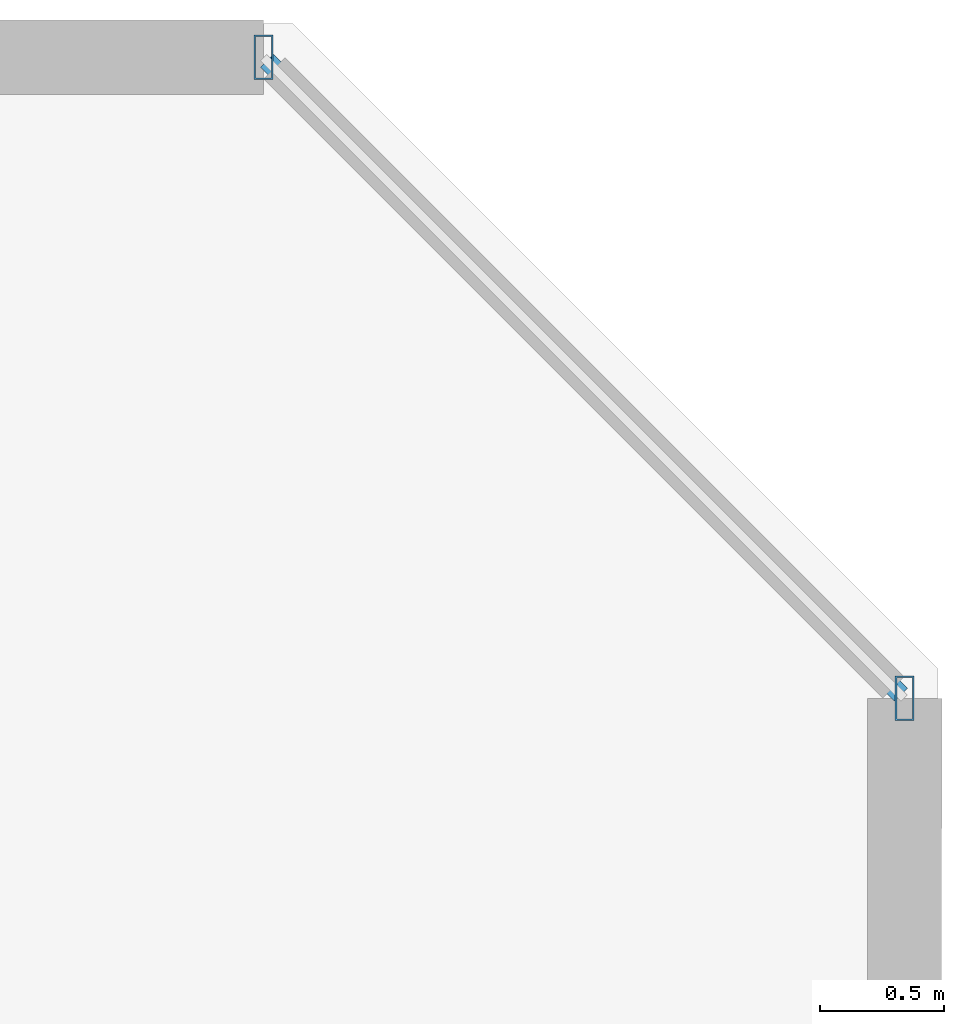
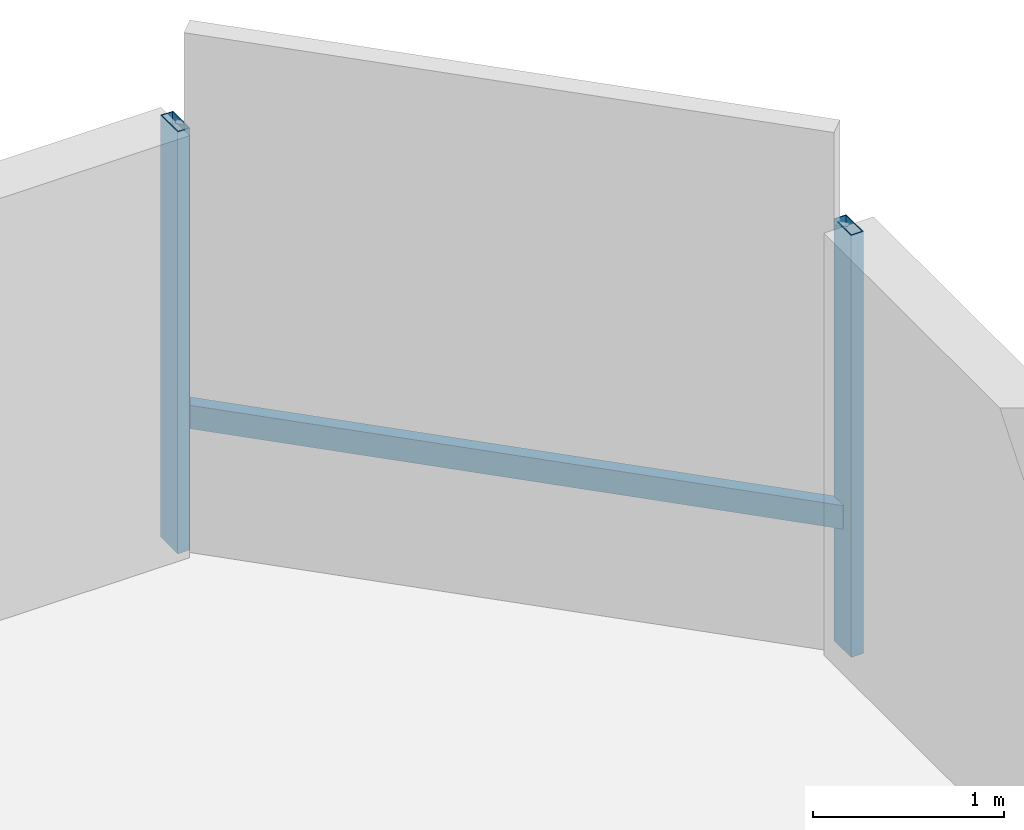
# One storey, part 16 of 31: 3 members, 1 element without a shape of its own.
"""IFC4 building model written with IfcOpenShell, lengths in metres."""

from ifc_helpers import new_model, si_unit, direction, frame, origin, origin_2d, place, context, subcontext, project, spatial, hollow_rectangle, extrude, material, material_profile, profile_set, type_object, element, aggregate, save


model = new_model("IFC4")

# Units and contexts
model_context = context("Model", 3, precision=1e-05, world=origin(), true_north=direction((0.0, 1.0)))
body_context = subcontext(model_context, "Body", "Model", "MODEL_VIEW")
ifc_project = project(units=[si_unit("LENGTHUNIT", "METRE"), si_unit("AREAUNIT", "SQUARE_METRE"), si_unit("VOLUMEUNIT", "CUBIC_METRE"), si_unit("PLANEANGLEUNIT", "RADIAN"), si_unit("MASSUNIT", "GRAM", prefix="KILO")], contexts=[model_context])

# Site, building, storey
site_placement = place(None, origin())
site = spatial("IfcSite", under=ifc_project, at=site_placement, CompositionType="ELEMENT")
building_placement = place(site_placement, origin())
building = spatial("IfcBuilding", under=site, at=building_placement, Name="Thornwick Lancets Civic Towers", CompositionType="ELEMENT")
storey_placement = place(building_placement, frame((0.0, 0.0, 254.699951171875)))
storey = spatial("IfcBuildingStorey", under=building, at=storey_placement, Name="L68", CompositionType="ELEMENT", Elevation=254.699951171875)

# Curtain wall, members
ifc_material_1 = material(Name="High-zone chamfered-corner unitised glass curtain wall", Category="glass")
curtain_wall_type = type_object("IfcCurtainWallType", Name="CW_SYS_05", PredefinedType="NOTDEFINED", material=ifc_material_1)
curtain_wall_placement = place(storey_placement, origin())
curtain_wall = element("IfcCurtainWall", 1, at=curtain_wall_placement, inside=storey, type_object=curtain_wall_type, Name="L68 Curtain Wall CW-L68-B-E3", PredefinedType="NOTDEFINED")
ifc_material_2 = material(Name="Thermally broken bronze aluminium S355", Category="steel")
ifc_material_profile_1 = material_profile(ifc_material_2, hollow_rectangle(XDim=0.074951171875, YDim=0.179931640625, WallThickness=0.006103515625, at=origin_2d()), Name="RHS 180x75x6")
ifc_profile_set_1 = profile_set([ifc_material_profile_1], Name="Thermally broken bronze aluminium S355")
member_type_1 = type_object("IfcMemberType", Name="CW_MUL_180", PredefinedType="MULLION", material=ifc_profile_set_1)
member_1_placement = place(storey_placement, frame((112.2646484375, 48.181396484375, 0.0), z_axis=(0.0, 0.0, 1.0), x_axis=(1.0, 0.0, 0.0)))
member_1 = element("IfcMember", 2, at=member_1_placement, type_object=member_type_1, Name="CW-L68-B-E3 Mullion 0", PredefinedType="MULLION", context=body_context, shape_type="SweptSolid", body=[
    extrude(hollow_rectangle(XDim=0.074951171875, YDim=0.179931640625, WallThickness=0.006103515625, at=origin_2d()), origin(), (0.0, 0.0, 1.0), 2.699951171875),
])
member_2_placement = place(storey_placement, frame((109.681396484375, 50.7646484375, 0.0), z_axis=(0.0, 0.0, 1.0), x_axis=(1.0, 0.0, 0.0)))
member_2 = element("IfcMember", 3, at=member_2_placement, type_object=member_type_1, Name="CW-L68-B-E3 Mullion 1", PredefinedType="MULLION", context=body_context, shape_type="SweptSolid", body=[
    extrude(hollow_rectangle(XDim=0.074951171875, YDim=0.179931640625, WallThickness=0.006103515625, at=origin_2d()), origin(), (0.0, 0.0, 1.0), 2.699951171875),
])
ifc_material_profile_2 = material_profile(ifc_material_2, hollow_rectangle(XDim=0.074951171875, YDim=0.14990234375, WallThickness=0.0048828125, at=origin_2d()), Name="RHS 150x75x5")
ifc_profile_set_2 = profile_set([ifc_material_profile_2], Name="Thermally broken bronze aluminium S355")
member_type_2 = type_object("IfcMemberType", Name="CW_TRN_150", PredefinedType="USERDEFINED", material=ifc_profile_set_2)
member_3_placement = place(storey_placement, frame((112.25048828125, 48.195556640625, 0.85009765625), z_axis=(-0.707106781187, 0.707106781187, 0.0), x_axis=(-0.707106781187, -0.707106781187, 0.0)))
member_3 = element("IfcMember", 4, at=member_3_placement, type_object=member_type_2, Name="CW-L68-B-E3 Transom 0", ObjectType="TRANSOM", PredefinedType="USERDEFINED", context=body_context, shape_type="SweptSolid", body=[
    extrude(hollow_rectangle(XDim=0.074951171875, YDim=0.14990234375, WallThickness=0.0048828125, at=origin_2d()), origin(), (0.0, 0.0, 1.0), 3.61328125),
])
aggregate(curtain_wall, [member_1, member_2, member_3])

save(model, "model.ifc")
